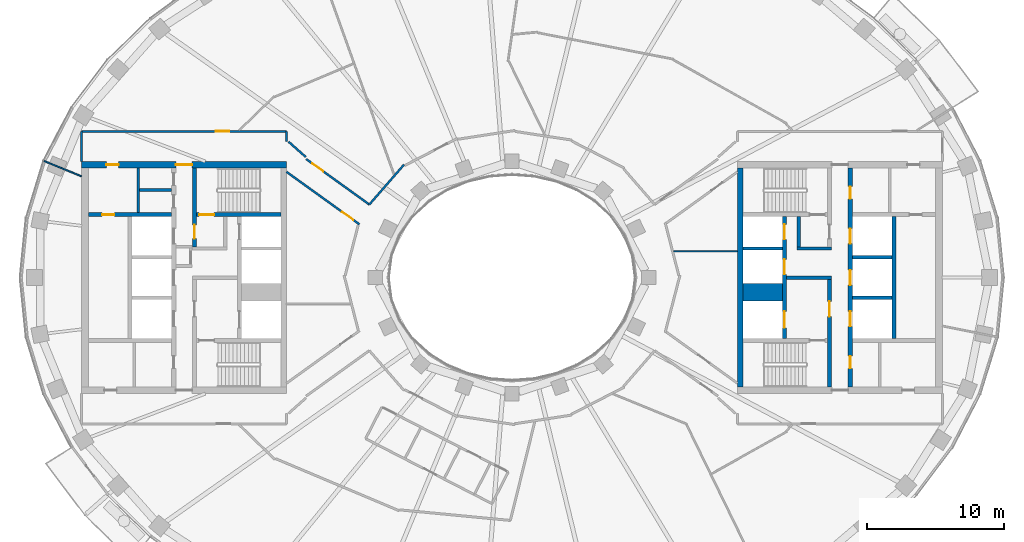
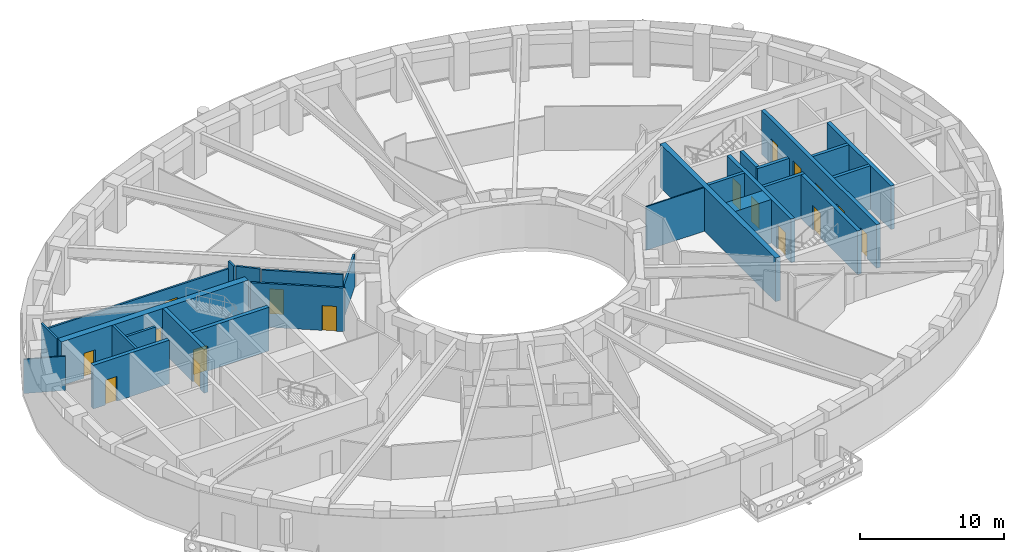
# One storey, part 5 of 16: 27 walls, 17 doors, 17 openings.
"""IFC4 building model written with IfcOpenShell, lengths in metres."""

from ifc_helpers import new_model, si_unit, direction, frame, frame_2d, origin, place, context, subcontext, project, spatial, rectangle, extrude, material, layer, layer_set, type_object, element, fill, save


model = new_model("IFC4")

# Units and contexts
model_context = context("Model", 3, precision=1e-05, world=origin(), true_north=direction((0.0, 1.0)))
body_context = subcontext(model_context, "Body", "Model", "MODEL_VIEW")
ifc_project = project(units=[si_unit("LENGTHUNIT", "METRE"), si_unit("AREAUNIT", "SQUARE_METRE"), si_unit("VOLUMEUNIT", "CUBIC_METRE"), si_unit("PLANEANGLEUNIT", "RADIAN"), si_unit("MASSUNIT", "GRAM", prefix="KILO")], contexts=[model_context])

# Site, building, storey
site_placement = place(None, origin())
site = spatial("IfcSite", under=ifc_project, at=site_placement, CompositionType="ELEMENT")
building_placement = place(site_placement, origin())
building = spatial("IfcBuilding", under=site, at=building_placement, Name="Noorbagh Ring Tower", CompositionType="ELEMENT")
storey_placement = place(building_placement, frame((0.0, 0.0, 174.0)))
storey = spatial("IfcBuildingStorey", under=building, at=storey_placement, Name="L40", CompositionType="ELEMENT", Elevation=174.0)

# Walls
ifc_material_1 = material(Name="Gypsum board on steel studs", Category="steel")
ifc_layer_1 = layer(ifc_material_1, 0.199951171875)
ifc_layer_set_1 = layer_set([ifc_layer_1], Name="Gypsum board on steel studs")
wall_type_1 = type_object("IfcWallType", Name="CORE-PARTITION-200", PredefinedType="PARTITIONING", material=ifc_layer_set_1)
wall_1_placement = place(storey_placement, frame((-27.35009765625, 4.75, 0.0), z_axis=(0.0, 0.0, 1.0), x_axis=(0.0, 1.0, 0.0)))
element("IfcWall", 1, at=wall_1_placement, inside=storey, type_object=wall_type_1, Name="Core partition W", PredefinedType="PARTITIONING", context=body_context, shape_type="SweptSolid", body=[
    extrude(rectangle(XDim=3.25, YDim=0.199951171875, at=frame_2d((1.625, 0.0))), origin(), (0.0, 0.0, 1.0), 3.699951171875),
])
wall_2_placement = place(storey_placement, frame((-24.89990234375, 6.39990234375, 0.0), z_axis=(0.0, 0.0, 1.0), x_axis=(-1.0, 0.0, 0.0)))
element("IfcWall", 2, at=wall_2_placement, inside=storey, type_object=wall_type_1, Name="Core partition W", PredefinedType="PARTITIONING", context=body_context, shape_type="SweptSolid", body=[
    extrude(rectangle(XDim=2.35009765625, YDim=0.199951171875, at=frame_2d((1.175048828125, 0.0))), origin(), (0.0, 0.0, 1.0), 3.699951171875),
])
ifc_material_2 = material(Name="Concrete C60/75", Category="concrete")
ifc_layer_2 = layer(ifc_material_2, 1.25)
ifc_layer_set_2 = layer_set([ifc_layer_2], Name="Concrete C60/75")
wall_type_2 = type_object("IfcWallType", Name="CORE-WALL-1250-C60-75-EI120", PredefinedType="SHEAR", material=ifc_layer_set_2)
wall_3_placement = place(storey_placement, frame((16.89990234375, -1.074951171875, 0.0), z_axis=(0.0, 0.0, 1.0), x_axis=(1.0, 0.0, 0.0)))
element("IfcWall", 3, at=wall_3_placement, inside=storey, type_object=wall_type_2, Name="Core wall E", PredefinedType="SHEAR", context=body_context, shape_type="SweptSolid", body=[
    extrude(rectangle(XDim=2.900146484375, YDim=1.25, at=frame_2d((1.4501953125, 0.0))), origin(), (0.0, 0.0, 1.0), 3.699951171875),
])
ifc_material_3 = material(Name="Concrete C60/75", Category="concrete")
ifc_layer_3 = layer(ifc_material_3, 0.25)
ifc_layer_set_3 = layer_set([ifc_layer_3], Name="Concrete C60/75")
wall_type_3 = type_object("IfcWallType", Name="CORE-WALL-250-C60-75-EI120", PredefinedType="SHEAR", material=ifc_layer_set_3)
for number, where, z_axis, x_axis, name in (
    (4, (16.89990234375, 2.125, 0.0), (0.0, 0.0, 1.0), (1.0, 0.0, 0.0), "Core wall E"),
    (5, (24.89990234375, -1.47509765625, 0.0), (0.0, 0.0, 1.0), (1.0, 0.0, 0.0), "Core wall E"),
    (6, (24.89990234375, 1.47509765625, 0.0), (0.0, 0.0, 1.0), (1.0, 0.0, 0.0), "Core wall E"),
):
    element("IfcWall", number, at=place(storey_placement, frame(where, z_axis=z_axis, x_axis=x_axis)), inside=storey, type_object=wall_type_3, Name=name, PredefinedType="SHEAR", context=body_context, shape_type="SweptSolid", body=[
        extrude(rectangle(XDim=2.900146484375, YDim=0.25, at=frame_2d((1.4501953125, 0.0))), origin(), (0.0, 0.0, 1.0), 3.699951171875),
    ])
ifc_material_4 = material(Name="Concrete C60/75", Category="concrete")
ifc_layer_4 = layer(ifc_material_4, 0.25)
ifc_layer_set_4 = layer_set([ifc_layer_4], Name="Concrete C60/75")
wall_type_4 = type_object("IfcWallType", Name="CORE-WALL-250-C60-75-EI240", PredefinedType="SHEAR", material=ifc_layer_set_4)
wall_4_placement = place(storey_placement, frame((20.10009765625, 0.0, 0.0), z_axis=(0.0, 0.0, 1.0), x_axis=(1.0, 0.0, 0.0)))
element("IfcWall", 7, at=wall_4_placement, inside=storey, type_object=wall_type_4, Name="Core wall E", PredefinedType="SHEAR", context=body_context, shape_type="SweptSolid", body=[
    extrude(rectangle(XDim=3.27978515625, YDim=0.25, at=frame_2d((1.639892578125, 0.0))), origin(), (0.0, 0.0, 1.0), 3.699951171875),
])
wall_5_placement = place(storey_placement, frame((20.85009765625, 2.125, 0.0), z_axis=(0.0, 0.0, 1.0), x_axis=(1.0, 0.0, 0.0)))
element("IfcWall", 8, at=wall_5_placement, inside=storey, type_object=wall_type_4, Name="Core wall E", PredefinedType="SHEAR", context=body_context, shape_type="SweptSolid", body=[
    extrude(rectangle(XDim=2.52978515625, YDim=0.25, at=frame_2d((1.264892578125, 0.0))), origin(), (0.0, 0.0, 1.0), 3.699951171875),
])
wall_6_placement = place(storey_placement, frame((20.97509765625, 2.25, 0.0), z_axis=(0.0, 0.0, 1.0), x_axis=(0.0, 1.0, 0.0)))
element("IfcWall", 9, at=wall_6_placement, inside=storey, type_object=wall_type_4, Name="Core wall E", PredefinedType="SHEAR", context=body_context, shape_type="SweptSolid", body=[
    extrude(rectangle(XDim=2.199951171875, YDim=0.25, at=frame_2d((1.10009765625, 0.0))), origin(), (0.0, 0.0, 1.0), 3.699951171875),
])
ifc_material_5 = material(Name="Concrete C60/75", Category="concrete")
ifc_layer_5 = layer(ifc_material_5, 0.300048828125)
ifc_layer_set_5 = layer_set([ifc_layer_5], Name="Concrete C60/75")
wall_type_5 = type_object("IfcWallType", Name="CORE-WALL-300-C60-75-EI120", PredefinedType="SHEAR", material=ifc_layer_set_5)
wall_7_placement = place(storey_placement, frame((27.949951171875, -4.449951171875, 0.0), z_axis=(0.0, 0.0, 1.0), x_axis=(0.0, 1.0, 0.0)))
element("IfcWall", 10, at=wall_7_placement, inside=storey, type_object=wall_type_5, Name="Core wall E", PredefinedType="SHEAR", context=body_context, shape_type="SweptSolid", body=[
    extrude(rectangle(XDim=8.89990234375, YDim=0.300048828125, at=frame_2d((4.449951171875, 0.0))), origin(), (0.0, 0.0, 1.0), 3.699951171875),
])

# Wall, openings, doors
wall_8_placement = place(storey_placement, frame((19.949951171875, -4.449951171875, 0.0), z_axis=(0.0, 0.0, 1.0), x_axis=(0.0, 1.0, 0.0)))
wall_8 = element("IfcWall", 11, at=wall_8_placement, inside=storey, type_object=wall_type_5, Name="Core wall E", PredefinedType="SHEAR", context=body_context, shape_type="SweptSolid", body=[
    extrude(rectangle(XDim=8.89990234375, YDim=0.300048828125, at=frame_2d((4.449951171875, 0.0))), origin(), (0.0, 0.0, 1.0), 3.699951171875),
])
opening_1_placement = place(wall_8_placement, frame((0.77490234375, 0.0, 0.0)))
opening_1 = element("IfcOpeningElement", 12, at=opening_1_placement, cuts=wall_8, Name="Opening L40-CE01", PredefinedType="OPENING", context=body_context, shape_type="SweptSolid", body=[
    extrude(rectangle(XDim=1.199951171875, YDim=2.10009765625, at=frame_2d((0.60009765625, 1.050048828125))), frame((0.0, 0.16015625, 0.0), z_axis=(0.0, -1.0, 0.0), x_axis=(1.0, 0.0, 0.0)), (0.0, 0.0, 1.0), 0.320068359375),
])
opening_2_placement = place(wall_8_placement, frame((4.675048828125, 0.0, 0.0)))
opening_2 = element("IfcOpeningElement", 13, at=opening_2_placement, cuts=wall_8, Name="Opening L40-CE02", PredefinedType="OPENING", context=body_context, shape_type="SweptSolid", body=[
    extrude(rectangle(XDim=1.10009765625, YDim=2.10009765625, at=frame_2d((0.550048828125, 1.050048828125))), frame((0.0, 0.16015625, 0.0), z_axis=(0.0, -1.0, 0.0), x_axis=(1.0, 0.0, 0.0)), (0.0, 0.0, 1.0), 0.320068359375),
])
opening_3_placement = place(wall_8_placement, frame((7.25, 0.0, 0.0)))
opening_3 = element("IfcOpeningElement", 14, at=opening_3_placement, cuts=wall_8, Name="Opening L40-CE03", PredefinedType="OPENING", context=body_context, shape_type="SweptSolid", body=[
    extrude(rectangle(XDim=1.10009765625, YDim=2.10009765625, at=frame_2d((0.550048828125, 1.050048828125))), frame((0.0, 0.16015625, 0.0), z_axis=(0.0, -1.0, 0.0), x_axis=(1.0, 0.0, 0.0)), (0.0, 0.0, 1.0), 0.320068359375),
])
ifc_material_6 = material(Name="Steel door leaf", Category="steel")
door_type_1 = type_object("IfcDoorType", Name="CORE-DOOR-LD", OperationType="DOUBLE_DOOR_SLIDING", PredefinedType="DOOR", material=ifc_material_6)
door_1_placement = place(opening_2_placement, origin())
door_1 = element("IfcDoor", 15, at=door_1_placement, inside=storey, type_object=door_type_1, Name="Landing door HR7 L40-CE02", OperationType="DOUBLE_DOOR_SLIDING", OverallHeight=2.10009765625, OverallWidth=1.10009765625, PredefinedType="DOOR", context=body_context, shape_type="SweptSolid", body=[
    extrude(rectangle(XDim=1.10009765625, YDim=2.10009765625, at=frame_2d((0.550048828125, 1.050048828125))), frame((0.0, 0.02490234375, 0.0), z_axis=(0.0, -1.0, 0.0), x_axis=(1.0, 0.0, 0.0)), (0.0, 0.0, 1.0), 0.050048828125),
])
fill(opening_2, door_1)
door_2_placement = place(opening_3_placement, origin())
door_2 = element("IfcDoor", 16, at=door_2_placement, inside=storey, type_object=door_type_1, Name="Landing door HR8 L40-CE03", OperationType="DOUBLE_DOOR_SLIDING", OverallHeight=2.10009765625, OverallWidth=1.10009765625, PredefinedType="DOOR", context=body_context, shape_type="SweptSolid", body=[
    extrude(rectangle(XDim=1.10009765625, YDim=2.10009765625, at=frame_2d((0.550048828125, 1.050048828125))), frame((0.0, 0.02490234375, 0.0), z_axis=(0.0, -1.0, 0.0), x_axis=(1.0, 0.0, 0.0)), (0.0, 0.0, 1.0), 0.050048828125),
])
fill(opening_3, door_2)
ifc_material_7 = material(Name="Steel door leaf", Category="steel")
door_type_2 = type_object("IfcDoorType", Name="CORE-DOOR-LDW", OperationType="DOUBLE_DOOR_SLIDING", PredefinedType="DOOR", material=ifc_material_7)
door_3_placement = place(opening_1_placement, origin())
door_3 = element("IfcDoor", 17, at=door_3_placement, inside=storey, type_object=door_type_2, Name="Landing door FF2 L40-CE01", OperationType="DOUBLE_DOOR_SLIDING", OverallHeight=2.10009765625, OverallWidth=1.199951171875, PredefinedType="DOOR", context=body_context, shape_type="SweptSolid", body=[
    extrude(rectangle(XDim=1.199951171875, YDim=2.10009765625, at=frame_2d((0.60009765625, 1.050048828125))), frame((0.0, 0.02490234375, 0.0), z_axis=(0.0, -1.0, 0.0), x_axis=(1.0, 0.0, 0.0)), (0.0, 0.0, 1.0), 0.050048828125),
])
fill(opening_1, door_3)

wall_9_placement = place(storey_placement, frame((24.75, -8.0, 0.0), z_axis=(0.0, 0.0, 1.0), x_axis=(0.0, 1.0, 0.0)))
wall_9 = element("IfcWall", 18, at=wall_9_placement, inside=storey, type_object=wall_type_5, Name="Core wall E", PredefinedType="SHEAR", context=body_context, shape_type="SweptSolid", body=[
    extrude(rectangle(XDim=16.0, YDim=0.300048828125, at=frame_2d((8.0, 0.0))), origin(), (0.0, 0.0, 1.0), 3.699951171875),
])
opening_4_placement = place(wall_9_placement, frame((4.425048828125, 0.0, 0.0)))
opening_4 = element("IfcOpeningElement", 19, at=opening_4_placement, cuts=wall_9, Name="Opening L40-CE04", PredefinedType="OPENING", context=body_context, shape_type="SweptSolid", body=[
    extrude(rectangle(XDim=1.10009765625, YDim=2.10009765625, at=frame_2d((0.550048828125, 1.050048828125))), frame((0.0, 0.16015625, 0.0), z_axis=(0.0, -1.0, 0.0), x_axis=(1.0, 0.0, 0.0)), (0.0, 0.0, 1.0), 0.320068359375),
])
opening_5_placement = place(wall_9_placement, frame((7.449951171875, 0.0, 0.0)))
opening_5 = element("IfcOpeningElement", 20, at=opening_5_placement, cuts=wall_9, Name="Opening L40-CE05", PredefinedType="OPENING", context=body_context, shape_type="SweptSolid", body=[
    extrude(rectangle(XDim=1.10009765625, YDim=2.10009765625, at=frame_2d((0.550048828125, 1.050048828125))), frame((0.0, 0.16015625, 0.0), z_axis=(0.0, -1.0, 0.0), x_axis=(1.0, 0.0, 0.0)), (0.0, 0.0, 1.0), 0.320068359375),
])
opening_6_placement = place(wall_9_placement, frame((10.47509765625, 0.0, 0.0)))
opening_6 = element("IfcOpeningElement", 21, at=opening_6_placement, cuts=wall_9, Name="Opening L40-CE06", PredefinedType="OPENING", context=body_context, shape_type="SweptSolid", body=[
    extrude(rectangle(XDim=1.10009765625, YDim=2.10009765625, at=frame_2d((0.550048828125, 1.050048828125))), frame((0.0, 0.16015625, 0.0), z_axis=(0.0, -1.0, 0.0), x_axis=(1.0, 0.0, 0.0)), (0.0, 0.0, 1.0), 0.320068359375),
])
opening_7_placement = place(wall_9_placement, frame((13.75, 0.0, 0.0)))
opening_7 = element("IfcOpeningElement", 22, at=opening_7_placement, cuts=wall_9, Name="Opening L40-CE13", PredefinedType="OPENING", context=body_context, shape_type="SweptSolid", body=[
    extrude(rectangle(XDim=0.89990234375, YDim=2.10009765625, at=frame_2d((0.449951171875, 1.050048828125))), frame((0.0, 0.16015625, 0.0), z_axis=(0.0, -1.0, 0.0), x_axis=(1.0, 0.0, 0.0)), (0.0, 0.0, 1.0), 0.320068359375),
])
opening_8_placement = place(wall_9_placement, frame((1.35009765625, 0.0, 0.0)))
opening_8 = element("IfcOpeningElement", 23, at=opening_8_placement, cuts=wall_9, Name="Opening L40-CE15", PredefinedType="OPENING", context=body_context, shape_type="SweptSolid", body=[
    extrude(rectangle(XDim=0.89990234375, YDim=2.10009765625, at=frame_2d((0.449951171875, 1.050048828125))), frame((0.0, 0.16015625, 0.0), z_axis=(0.0, -1.0, 0.0), x_axis=(1.0, 0.0, 0.0)), (0.0, 0.0, 1.0), 0.320068359375),
])
ifc_material_8 = material(Name="Steel door leaf", Category="steel")
door_type_3 = type_object("IfcDoorType", Name="CORE-DOOR-DROOM", OperationType="SINGLE_SWING_LEFT", PredefinedType="DOOR", material=ifc_material_8)
door_4_placement = place(opening_7_placement, origin())
door_4 = element("IfcDoor", 24, at=door_4_placement, inside=storey, type_object=door_type_3, Name="Core room door L40-CE13", OperationType="SINGLE_SWING_LEFT", OverallHeight=2.10009765625, OverallWidth=0.89990234375, PredefinedType="DOOR", context=body_context, shape_type="SweptSolid", body=[
    extrude(rectangle(XDim=0.89990234375, YDim=2.10009765625, at=frame_2d((0.449951171875, 1.050048828125))), frame((0.0, 0.02490234375, 0.0), z_axis=(0.0, -1.0, 0.0), x_axis=(1.0, 0.0, 0.0)), (0.0, 0.0, 1.0), 0.050048828125),
])
fill(opening_7, door_4)
door_5_placement = place(opening_8_placement, origin())
door_5 = element("IfcDoor", 25, at=door_5_placement, inside=storey, type_object=door_type_3, Name="Core room door L40-CE15", OperationType="SINGLE_SWING_RIGHT", OverallHeight=2.10009765625, OverallWidth=0.89990234375, PredefinedType="DOOR", context=body_context, shape_type="SweptSolid", body=[
    extrude(rectangle(XDim=0.89990234375, YDim=2.10009765625, at=frame_2d((0.449951171875, 1.050048828125))), frame((0.0, 0.02490234375, 0.0), z_axis=(0.0, -1.0, 0.0), x_axis=(1.0, 0.0, 0.0)), (0.0, 0.0, 1.0), 0.050048828125),
])
fill(opening_8, door_5)
door_6_placement = place(opening_4_placement, origin())
door_6 = element("IfcDoor", 26, at=door_6_placement, inside=storey, type_object=door_type_1, Name="Landing door HR9 L40-CE04", OperationType="DOUBLE_DOOR_SLIDING", OverallHeight=2.10009765625, OverallWidth=1.10009765625, PredefinedType="DOOR", context=body_context, shape_type="SweptSolid", body=[
    extrude(rectangle(XDim=1.10009765625, YDim=2.10009765625, at=frame_2d((0.550048828125, 1.050048828125))), frame((0.0, 0.02490234375, 0.0), z_axis=(0.0, -1.0, 0.0), x_axis=(1.0, 0.0, 0.0)), (0.0, 0.0, 1.0), 0.050048828125),
])
fill(opening_4, door_6)
door_7_placement = place(opening_5_placement, origin())
door_7 = element("IfcDoor", 27, at=door_7_placement, inside=storey, type_object=door_type_1, Name="Landing door HR10 L40-CE05", OperationType="DOUBLE_DOOR_SLIDING", OverallHeight=2.10009765625, OverallWidth=1.10009765625, PredefinedType="DOOR", context=body_context, shape_type="SweptSolid", body=[
    extrude(rectangle(XDim=1.10009765625, YDim=2.10009765625, at=frame_2d((0.550048828125, 1.050048828125))), frame((0.0, 0.02490234375, 0.0), z_axis=(0.0, -1.0, 0.0), x_axis=(1.0, 0.0, 0.0)), (0.0, 0.0, 1.0), 0.050048828125),
])
fill(opening_5, door_7)
door_8_placement = place(opening_6_placement, origin())
door_8 = element("IfcDoor", 28, at=door_8_placement, inside=storey, type_object=door_type_1, Name="Landing door HR11 L40-CE06", OperationType="DOUBLE_DOOR_SLIDING", OverallHeight=2.10009765625, OverallWidth=1.10009765625, PredefinedType="DOOR", context=body_context, shape_type="SweptSolid", body=[
    extrude(rectangle(XDim=1.10009765625, YDim=2.10009765625, at=frame_2d((0.550048828125, 1.050048828125))), frame((0.0, 0.02490234375, 0.0), z_axis=(0.0, -1.0, 0.0), x_axis=(1.0, 0.0, 0.0)), (0.0, 0.0, 1.0), 0.050048828125),
])
fill(opening_6, door_8)

# Wall, opening, door
ifc_material_9 = material(Name="Concrete C60/75", Category="concrete")
ifc_layer_6 = layer(ifc_material_9, 0.300048828125)
ifc_layer_set_6 = layer_set([ifc_layer_6], Name="Concrete C60/75")
wall_type_6 = type_object("IfcWallType", Name="CORE-WALL-300-C60-75-EI240", PredefinedType="SHEAR", material=ifc_layer_set_6)
wall_10_placement = place(storey_placement, frame((-24.89990234375, 4.60009765625, 0.0), z_axis=(0.0, 0.0, 1.0), x_axis=(-1.0, 0.0, 0.0)))
wall_10 = element("IfcWall", 29, at=wall_10_placement, inside=storey, type_object=wall_type_6, Name="Core wall W", PredefinedType="SHEAR", context=body_context, shape_type="SweptSolid", body=[
    extrude(rectangle(XDim=6.10009765625, YDim=0.300048828125, at=frame_2d((3.050048828125, 0.0))), origin(), (0.0, 0.0, 1.0), 3.699951171875),
])
opening_9_placement = place(wall_10_placement, frame((4.199951171875, 0.0, 0.0)))
opening_9 = element("IfcOpeningElement", 30, at=opening_9_placement, cuts=wall_10, Name="Opening L40-CW18", PredefinedType="OPENING", context=body_context, shape_type="SweptSolid", body=[
    extrude(rectangle(XDim=0.89990234375, YDim=2.10009765625, at=frame_2d((0.449951171875, 1.050048828125))), frame((0.0, 0.16015625, 0.0), z_axis=(0.0, -1.0, 0.0), x_axis=(1.0, 0.0, 0.0)), (0.0, 0.0, 1.0), 0.320068359375),
])
door_9_placement = place(opening_9_placement, origin())
door_9 = element("IfcDoor", 31, at=door_9_placement, inside=storey, type_object=door_type_3, Name="Core room door L40-CW18", OperationType="SINGLE_SWING_LEFT", OverallHeight=2.10009765625, OverallWidth=0.89990234375, PredefinedType="DOOR", context=body_context, shape_type="SweptSolid", body=[
    extrude(rectangle(XDim=0.89990234375, YDim=2.10009765625, at=frame_2d((0.449951171875, 1.050048828125))), frame((0.0, 0.02490234375, 0.0), z_axis=(0.0, -1.0, 0.0), x_axis=(1.0, 0.0, 0.0)), (0.0, 0.0, 1.0), 0.050048828125),
])
fill(opening_9, door_9)

wall_11_placement = place(storey_placement, frame((-23.22998046875, 2.25, 0.0), z_axis=(0.0, 0.0, 1.0), x_axis=(0.0, 1.0, 0.0)))
wall_11 = element("IfcWall", 32, at=wall_11_placement, inside=storey, type_object=wall_type_6, Name="Core wall W", PredefinedType="SHEAR", context=body_context, shape_type="SweptSolid", body=[
    extrude(rectangle(XDim=5.75, YDim=0.300048828125, at=frame_2d((2.875, 0.0))), origin(), (0.0, 0.0, 1.0), 3.699951171875),
])
opening_10_placement = place(wall_11_placement, frame((0.60009765625, 0.0, 0.0)))
opening_10 = element("IfcOpeningElement", 33, at=opening_10_placement, cuts=wall_11, Name="Opening L40-CW09", PredefinedType="OPENING", context=body_context, shape_type="SweptSolid", body=[
    extrude(rectangle(XDim=1.0, YDim=2.10009765625, at=frame_2d((0.5, 1.050048828125))), frame((0.0, 0.16015625, 0.0), z_axis=(0.0, -1.0, 0.0), x_axis=(1.0, 0.0, 0.0)), (0.0, 0.0, 1.0), 0.320068359375),
])
ifc_material_10 = material(Name="Steel door leaf", Category="steel")
door_type_4 = type_object("IfcDoorType", Name="CORE-DOOR-DVEST", OperationType="SINGLE_SWING_LEFT", PredefinedType="DOOR", material=ifc_material_10)
door_10_placement = place(opening_10_placement, origin())
door_10 = element("IfcDoor", 34, at=door_10_placement, inside=storey, type_object=door_type_4, Name="Stair vestibule door L40-CW09", OperationType="SINGLE_SWING_LEFT", OverallHeight=2.10009765625, OverallWidth=1.0, PredefinedType="DOOR", context=body_context, shape_type="SweptSolid", body=[
    extrude(rectangle(XDim=1.0, YDim=2.10009765625, at=frame_2d((0.5, 1.050048828125))), frame((0.0, 0.02490234375, 0.0), z_axis=(0.0, -1.0, 0.0), x_axis=(1.0, 0.0, 0.0)), (0.0, 0.0, 1.0), 0.050048828125),
])
fill(opening_10, door_10)

wall_12_placement = place(storey_placement, frame((-16.89990234375, 4.60009765625, 0.0), z_axis=(0.0, 0.0, 1.0), x_axis=(-1.0, 0.0, 0.0)))
wall_12 = element("IfcWall", 35, at=wall_12_placement, inside=storey, type_object=wall_type_6, Name="Core wall W", PredefinedType="SHEAR", context=body_context, shape_type="SweptSolid", body=[
    extrude(rectangle(XDim=6.18017578125, YDim=0.300048828125, at=frame_2d((3.090087890625, 0.0))), origin(), (0.0, 0.0, 1.0), 3.699951171875),
])
opening_11_placement = place(wall_12_placement, frame((4.89990234375, 0.0, 0.0)))
opening_11 = element("IfcOpeningElement", 36, at=opening_11_placement, cuts=wall_12, Name="Opening L40-CW06", PredefinedType="OPENING", context=body_context, shape_type="SweptSolid", body=[
    extrude(rectangle(XDim=1.10009765625, YDim=2.10009765625, at=frame_2d((0.550048828125, 1.050048828125))), frame((0.0, 0.16015625, 0.0), z_axis=(0.0, -1.0, 0.0), x_axis=(1.0, 0.0, 0.0)), (0.0, 0.0, 1.0), 0.320068359375),
])
ifc_material_11 = material(Name="Steel door leaf", Category="steel")
door_type_5 = type_object("IfcDoorType", Name="CORE-DOOR-DSTAIR", OperationType="SINGLE_SWING_LEFT", PredefinedType="DOOR", material=ifc_material_11)
door_11_placement = place(opening_11_placement, origin())
door_11 = element("IfcDoor", 37, at=door_11_placement, inside=storey, type_object=door_type_5, Name="Stair door ST1 L40-CW06", OperationType="SINGLE_SWING_RIGHT", OverallHeight=2.10009765625, OverallWidth=1.10009765625, PredefinedType="DOOR", context=body_context, shape_type="SweptSolid", body=[
    extrude(rectangle(XDim=1.10009765625, YDim=2.10009765625, at=frame_2d((0.550048828125, 1.050048828125))), frame((0.0, 0.02490234375, 0.0), z_axis=(0.0, -1.0, 0.0), x_axis=(1.0, 0.0, 0.0)), (0.0, 0.0, 1.0), 0.050048828125),
])
fill(opening_11, door_11)

wall_13_placement = place(storey_placement, frame((23.22998046875, -8.0, 0.0), z_axis=(0.0, 0.0, 1.0), x_axis=(0.0, 1.0, 0.0)))
wall_13 = element("IfcWall", 38, at=wall_13_placement, inside=storey, type_object=wall_type_6, Name="Core wall E", PredefinedType="SHEAR", context=body_context, shape_type="SweptSolid", body=[
    extrude(rectangle(XDim=7.875, YDim=0.300048828125, at=frame_2d((3.9375, 0.0))), origin(), (0.0, 0.0, 1.0), 3.699951171875),
])
opening_12_placement = place(wall_13_placement, frame((5.14990234375, 0.0, 0.0)))
opening_12 = element("IfcOpeningElement", 39, at=opening_12_placement, cuts=wall_13, Name="Opening L40-CE09", PredefinedType="OPENING", context=body_context, shape_type="SweptSolid", body=[
    extrude(rectangle(XDim=1.10009765625, YDim=2.10009765625, at=frame_2d((0.550048828125, 1.050048828125))), frame((0.0, 0.16015625, 0.0), z_axis=(0.0, -1.0, 0.0), x_axis=(1.0, 0.0, 0.0)), (0.0, 0.0, 1.0), 0.320068359375),
])
ifc_material_12 = material(Name="Steel door leaf", Category="steel")
door_type_6 = type_object("IfcDoorType", Name="CORE-DOOR-DFF", OperationType="SINGLE_SWING_LEFT", PredefinedType="DOOR", material=ifc_material_12)
door_12_placement = place(opening_12_placement, origin())
door_12 = element("IfcDoor", 40, at=door_12_placement, inside=storey, type_object=door_type_6, Name="Firefighting lobby door L40-CE09", OperationType="SINGLE_SWING_RIGHT", OverallHeight=2.10009765625, OverallWidth=1.10009765625, PredefinedType="DOOR", context=body_context, shape_type="SweptSolid", body=[
    extrude(rectangle(XDim=1.10009765625, YDim=2.10009765625, at=frame_2d((0.550048828125, 1.050048828125))), frame((0.0, 0.02490234375, 0.0), z_axis=(0.0, -1.0, 0.0), x_axis=(1.0, 0.0, 0.0)), (0.0, 0.0, 1.0), 0.050048828125),
])
fill(opening_12, door_12)

# Wall
ifc_material_13 = material(Name="Concrete C60/75", Category="concrete")
ifc_layer_7 = layer(ifc_material_13, 0.39990234375)
ifc_layer_set_7 = layer_set([ifc_layer_7], Name="Concrete C60/75")
wall_type_7 = type_object("IfcWallType", Name="CORE-WALL-400-C60-75-EI240", PredefinedType="SHEAR", material=ifc_layer_set_7)
wall_14_placement = place(storey_placement, frame((16.699951171875, -8.0, 0.0), z_axis=(0.0, 0.0, 1.0), x_axis=(0.0, 1.0, 0.0)))
element("IfcWall", 41, at=wall_14_placement, inside=storey, type_object=wall_type_7, Name="Core wall E", PredefinedType="SHEAR", context=body_context, shape_type="SweptSolid", body=[
    extrude(rectangle(XDim=16.0, YDim=0.39990234375, at=frame_2d((8.0, 0.0))), origin(), (0.0, 0.0, 1.0), 3.699951171875),
])

# Wall, openings, doors
ifc_material_14 = material(Name="Concrete C60/75", Category="concrete")
ifc_layer_8 = layer(ifc_material_14, 0.5)
ifc_layer_set_8 = layer_set([ifc_layer_8], Name="Concrete C60/75")
wall_type_8 = type_object("IfcWallType", Name="CORE-WALL-500-C60-75-EI240", PredefinedType="SHEAR", material=ifc_layer_set_8)
wall_15_placement = place(storey_placement, frame((-16.5, 8.25, 0.0), z_axis=(0.0, 0.0, 1.0), x_axis=(-1.0, 0.0, 0.0)))
wall_15 = element("IfcWall", 42, at=wall_15_placement, inside=storey, type_object=wall_type_8, Name="Core wall W", PredefinedType="SHEAR", context=body_context, shape_type="SweptSolid", body=[
    extrude(rectangle(XDim=15.0, YDim=0.5, at=frame_2d((7.5, 0.0))), origin(), (0.0, 0.0, 1.0), 3.699951171875),
])
opening_13_placement = place(wall_15_placement, frame((6.89990234375, 0.0, 0.0)))
opening_13 = element("IfcOpeningElement", 43, at=opening_13_placement, cuts=wall_15, Name="Opening L40-CW10", PredefinedType="OPENING", context=body_context, shape_type="SweptSolid", body=[
    extrude(rectangle(XDim=1.199951171875, YDim=2.10009765625, at=frame_2d((0.60009765625, 1.050048828125))), frame((0.0, 0.260009765625, 0.0), z_axis=(0.0, -1.0, 0.0), x_axis=(1.0, 0.0, 0.0)), (0.0, 0.0, 1.0), 0.52001953125),
])
opening_14_placement = place(wall_15_placement, frame((12.27490234375, 0.0, 0.0)))
opening_14 = element("IfcOpeningElement", 44, at=opening_14_placement, cuts=wall_15, Name="Opening L40-CW14", PredefinedType="OPENING", context=body_context, shape_type="SweptSolid", body=[
    extrude(rectangle(XDim=0.89990234375, YDim=2.10009765625, at=frame_2d((0.449951171875, 1.050048828125))), frame((0.0, 0.260009765625, 0.0), z_axis=(0.0, -1.0, 0.0), x_axis=(1.0, 0.0, 0.0)), (0.0, 0.0, 1.0), 0.52001953125),
])
door_13_placement = place(opening_14_placement, origin())
door_13 = element("IfcDoor", 45, at=door_13_placement, inside=storey, type_object=door_type_3, Name="Core room door L40-CW14", OperationType="SINGLE_SWING_RIGHT", OverallHeight=2.10009765625, OverallWidth=0.89990234375, PredefinedType="DOOR", context=body_context, shape_type="SweptSolid", body=[
    extrude(rectangle(XDim=0.89990234375, YDim=2.10009765625, at=frame_2d((0.449951171875, 1.050048828125))), frame((0.0, 0.02490234375, 0.0), z_axis=(0.0, -1.0, 0.0), x_axis=(1.0, 0.0, 0.0)), (0.0, 0.0, 1.0), 0.050048828125),
])
fill(opening_14, door_13)
ifc_material_15 = material(Name="Steel door leaf", Category="steel")
door_type_7 = type_object("IfcDoorType", Name="CORE-DOOR-PORT", OperationType="DOUBLE_DOOR_DOUBLE_SWING", PredefinedType="DOOR", material=ifc_material_15)
door_14_placement = place(opening_13_placement, origin())
door_14 = element("IfcDoor", 46, at=door_14_placement, inside=storey, type_object=door_type_7, Name="Core entrance door L40-CW10", OperationType="DOUBLE_DOOR_DOUBLE_SWING", OverallHeight=2.10009765625, OverallWidth=1.199951171875, PredefinedType="DOOR", context=body_context, shape_type="SweptSolid", body=[
    extrude(rectangle(XDim=1.199951171875, YDim=2.10009765625, at=frame_2d((0.60009765625, 1.050048828125))), frame((0.0, 0.02490234375, 0.0), z_axis=(0.0, -1.0, 0.0), x_axis=(1.0, 0.0, 0.0)), (0.0, 0.0, 1.0), 0.050048828125),
])
fill(opening_13, door_14)

# Wall
ifc_material_16 = material(Name="Gypsum board on steel studs", Category="steel")
ifc_layer_9 = layer(ifc_material_16, 0.14990234375)
ifc_layer_set_9 = layer_set([ifc_layer_9], Name="Gypsum board on steel studs")
wall_type_9 = type_object("IfcWallType", Name="CORRIDOR PARTITION 150 EI 30", PredefinedType="PARTITIONING", material=ifc_layer_set_9)
wall_16_placement = place(storey_placement, frame((-31.5, 8.5, 0.0), z_axis=(0.0, 0.0, 1.0), x_axis=(0.0, 1.0, 0.0)))
element("IfcWall", 47, at=wall_16_placement, inside=storey, type_object=wall_type_9, Name="L40/wall/P04", PredefinedType="PARTITIONING", context=body_context, shape_type="SweptSolid", body=[
    extrude(rectangle(XDim=2.199951171875, YDim=0.14990234375, at=frame_2d((1.10009765625, 0.0))), origin(), (0.0, 0.0, 1.0), 3.699951171875),
])

# Wall, opening, door
wall_17_placement = place(storey_placement, frame((-31.5, 10.699951171875, 0.0), z_axis=(0.0, 0.0, 1.0), x_axis=(1.0, 0.0, 0.0)))
wall_17 = element("IfcWall", 48, at=wall_17_placement, inside=storey, type_object=wall_type_9, Name="L40/wall/P05", PredefinedType="PARTITIONING", context=body_context, shape_type="SweptSolid", body=[
    extrude(rectangle(XDim=15.0, YDim=0.14990234375, at=frame_2d((7.5, 0.0))), origin(), (0.0, 0.0, 1.0), 3.10009765625),
])
opening_15_placement = place(wall_17_placement, frame((9.819091796875, 0.0, 0.0)))
opening_15 = element("IfcOpeningElement", 49, at=opening_15_placement, cuts=wall_17, Name="Opening D1", PredefinedType="OPENING", context=body_context, shape_type="SweptSolid", body=[
    extrude(rectangle(XDim=1.0, YDim=2.10009765625, at=frame_2d((0.5, 1.050048828125))), frame((0.0, 0.0849609375, 0.0), z_axis=(0.0, -1.0, 0.0), x_axis=(1.0, 0.0, 0.0)), (0.0, 0.0, 1.0), 0.169921875),
])
ifc_material_17 = material(Name="Timber, painted", Category="wood")
door_type_8 = type_object("IfcDoorType", Name="DOOR 1000 X 2100 FD30", OperationType="SINGLE_SWING_LEFT", PredefinedType="DOOR", material=ifc_material_17)
door_15_placement = place(opening_15_placement, origin())
door_15 = element("IfcDoor", 50, at=door_15_placement, inside=storey, type_object=door_type_8, Name="L40-D07", OperationType="SINGLE_SWING_LEFT", OverallHeight=2.10009765625, OverallWidth=1.0, PredefinedType="DOOR", context=body_context, shape_type="SweptSolid", body=[
    extrude(rectangle(XDim=1.0, YDim=2.10009765625, at=frame_2d((0.5, 1.050048828125))), frame((0.0, 0.02490234375, 0.0), z_axis=(0.0, -1.0, 0.0), x_axis=(1.0, 0.0, 0.0)), (0.0, 0.0, 1.0), 0.050048828125),
])
fill(opening_15, door_15)

# Wall
wall_18_placement = place(storey_placement, frame((-16.5, 9.964111328125, 0.0), z_axis=(0.0, 0.0, 1.0), x_axis=(0.0, 1.0, 0.0)))
element("IfcWall", 51, at=wall_18_placement, inside=storey, type_object=wall_type_9, Name="L40/wall/P12", PredefinedType="PARTITIONING", context=body_context, shape_type="SweptSolid", body=[
    extrude(rectangle(XDim=0.73583984375, YDim=0.14990234375, at=frame_2d((0.367919921875, 0.0))), origin(), (0.0, 0.0, 1.0), 3.699951171875),
])

# Wall, opening, door
wall_19_placement = place(storey_placement, frame((-16.5, 7.735107421875, 0.0), z_axis=(0.0, 0.0, 1.0), x_axis=(0.811616692984, -0.584190331715, 0.0)))
wall_19 = element("IfcWall", 52, at=wall_19_placement, inside=storey, type_object=wall_type_9, Name="L40/wall/P14", PredefinedType="PARTITIONING", context=body_context, shape_type="SweptSolid", body=[
    extrude(rectangle(XDim=6.578369140625, YDim=0.14990234375, at=frame_2d((3.2890625, 0.0))), origin(), (0.0, 0.0, 1.0), 3.699951171875),
])
opening_16_placement = place(wall_19_placement, frame((5.014892578125, 0.0, 0.0)))
opening_16 = element("IfcOpeningElement", 53, at=opening_16_placement, cuts=wall_19, Name="Opening D1", PredefinedType="OPENING", context=body_context, shape_type="SweptSolid", body=[
    extrude(rectangle(XDim=1.0, YDim=2.10009765625, at=frame_2d((0.5, 1.050048828125))), frame((0.0, 0.0849609375, 0.0), z_axis=(0.0, -1.0, 0.0), x_axis=(1.0, 0.0, 0.0)), (0.0, 0.0, 1.0), 0.169921875),
])
door_16_placement = place(opening_16_placement, origin())
door_16 = element("IfcDoor", 54, at=door_16_placement, inside=storey, type_object=door_type_8, Name="L40-D16", OperationType="SINGLE_SWING_RIGHT", OverallHeight=2.10009765625, OverallWidth=1.0, PredefinedType="DOOR", context=body_context, shape_type="SweptSolid", body=[
    extrude(rectangle(XDim=1.0, YDim=2.10009765625, at=frame_2d((0.5, 1.050048828125))), frame((0.0, 0.02490234375, 0.0), z_axis=(0.0, -1.0, 0.0), x_axis=(1.0, 0.0, 0.0)), (0.0, 0.0, 1.0), 0.050048828125),
])
fill(opening_16, door_16)

wall_20_placement = place(storey_placement, frame((-15.06103515625, 8.6708984375, 0.0), z_axis=(0.0, 0.0, 1.0), x_axis=(0.811697765448, -0.584077681106, 0.0)))
wall_20 = element("IfcWall", 55, at=wall_20_placement, inside=storey, type_object=wall_type_9, Name="L40/wall/P16", PredefinedType="PARTITIONING", context=body_context, shape_type="SweptSolid", body=[
    extrude(rectangle(XDim=5.6943359375, YDim=0.14990234375, at=frame_2d((2.84716796875, 0.0))), origin(), (0.0, 0.0, 1.0), 3.699951171875),
])
opening_17_placement = place(wall_20_placement, frame((0.544189453125, 0.0, 0.0)))
opening_17 = element("IfcOpeningElement", 56, at=opening_17_placement, cuts=wall_20, Name="Opening D1", PredefinedType="OPENING", context=body_context, shape_type="SweptSolid", body=[
    extrude(rectangle(XDim=1.0, YDim=2.10009765625, at=frame_2d((0.5, 1.050048828125))), frame((0.0, 0.0849609375, 0.0), z_axis=(0.0, -1.0, 0.0), x_axis=(1.0, 0.0, 0.0)), (0.0, 0.0, 1.0), 0.169921875),
])
door_17_placement = place(opening_17_placement, origin())
door_17 = element("IfcDoor", 57, at=door_17_placement, inside=storey, type_object=door_type_8, Name="L40-D08", OperationType="SINGLE_SWING_RIGHT", OverallHeight=2.10009765625, OverallWidth=1.0, PredefinedType="DOOR", context=body_context, shape_type="SweptSolid", body=[
    extrude(rectangle(XDim=1.0, YDim=2.10009765625, at=frame_2d((0.5, 1.050048828125))), frame((0.0, 0.02490234375, 0.0), z_axis=(0.0, -1.0, 0.0), x_axis=(1.0, 0.0, 0.0)), (0.0, 0.0, 1.0), 0.050048828125),
])
fill(opening_17, door_17)

# Walls
wall_21_placement = place(storey_placement, frame((-10.43896484375, 5.344970703125, 0.0), z_axis=(0.0, 0.0, 1.0), x_axis=(0.656405809938, 0.754407988213, 0.0)))
element("IfcWall", 58, at=wall_21_placement, inside=storey, type_object=wall_type_9, Name="L40/wall/P23", PredefinedType="PARTITIONING", context=body_context, shape_type="SweptSolid", body=[
    extrude(rectangle(XDim=3.85888671875, YDim=0.14990234375, at=frame_2d((1.929443359375, 0.0))), origin(), (0.0, 0.0, 1.0), 2.75),
])
wall_22_placement = place(storey_placement, frame((-16.35205078125, 9.94189453125, 0.0), z_axis=(0.0, 0.0, 1.0), x_axis=(0.747926695066, -0.663781333579, 0.0)))
element("IfcWall", 59, at=wall_22_placement, inside=storey, type_object=wall_type_9, Name="L40/wall/P69", PredefinedType="PARTITIONING", context=body_context, shape_type="SweptSolid", body=[
    extrude(rectangle(XDim=1.69140625, YDim=0.14990234375, at=frame_2d((0.845703125, 0.0))), origin(), (0.0, 0.0, 1.0), 3.699951171875),
])
ifc_material_18 = material(Name="Gypsum board on steel studs", Category="steel")
ifc_layer_10 = layer(ifc_material_18, 0.10009765625)
ifc_layer_set_10 = layer_set([ifc_layer_10], Name="Gypsum board on steel studs")
wall_type_10 = type_object("IfcWallType", Name="PARTITION 100 GYPSUM", PredefinedType="PARTITIONING", material=ifc_layer_set_10)
wall_23_placement = place(storey_placement, frame((-34.23388671875, 8.530029296875, 0.0), z_axis=(0.0, 0.0, 1.0), x_axis=(0.925344112436, -0.379128307542, 0.0)))
element("IfcWall", 60, at=wall_23_placement, inside=storey, type_object=wall_type_10, Name="L40/wall/P01", PredefinedType="PARTITIONING", context=body_context, shape_type="SweptSolid", body=[
    extrude(rectangle(XDim=2.954345703125, YDim=0.10009765625, at=frame_2d((1.47705078125, 0.0))), origin(), (0.0, 0.0, 1.0), 2.89990234375),
])
wall_24_placement = place(storey_placement, frame((11.827880859375, 1.927978515625, 0.0), z_axis=(0.0, 0.0, 1.0), x_axis=(1.0, 0.0, 0.0)))
element("IfcWall", 61, at=wall_24_placement, inside=storey, type_object=wall_type_10, Name="L40/wall/P55", PredefinedType="PARTITIONING", context=body_context, shape_type="SweptSolid", body=[
    extrude(rectangle(XDim=4.672119140625, YDim=0.10009765625, at=frame_2d((2.3359375, 0.0))), origin(), (0.0, 0.0, 1.0), 3.699951171875),
])

save(model, "model.ifc")
